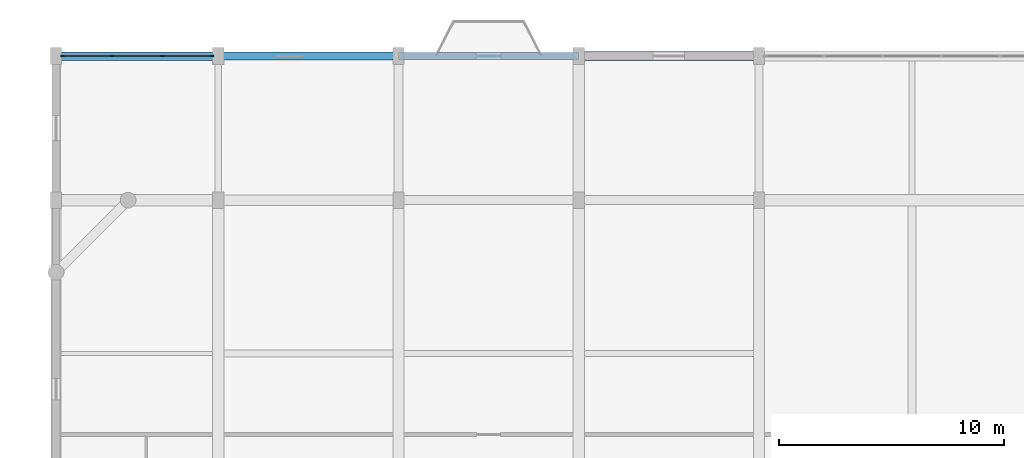
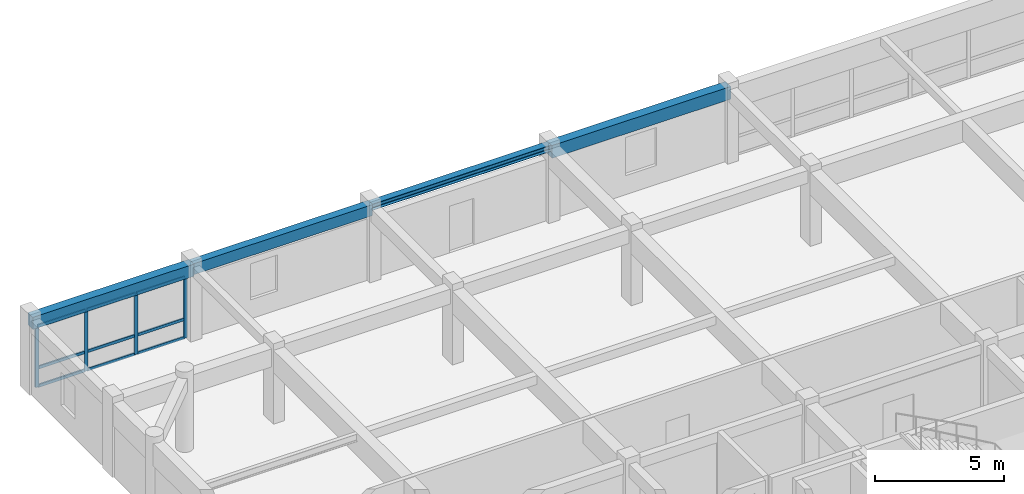
# One storey, part 7 of 13: 13 members, 4 beams, 1 element without a shape of its own.
"""IFC4 building model written with IfcOpenShell, lengths in metres."""

from ifc_helpers import new_model, si_unit, direction, frame, origin, origin_2d, place, context, subcontext, project, spatial, rectangle, i_section, extrude, material, material_profile, profile_set, type_object, element, aggregate, save


model = new_model("IFC4")

# Units and contexts
model_context = context("Model", 3, precision=1e-05, world=origin(), true_north=direction((0.0, 1.0)))
body_context = subcontext(model_context, "Body", "Model", "MODEL_VIEW")
ifc_project = project(units=[si_unit("LENGTHUNIT", "METRE"), si_unit("AREAUNIT", "SQUARE_METRE"), si_unit("VOLUMEUNIT", "CUBIC_METRE"), si_unit("PLANEANGLEUNIT", "RADIAN"), si_unit("MASSUNIT", "GRAM", prefix="KILO")], contexts=[model_context])

# Site, building, storey
site_placement = place(None, origin())
site = spatial("IfcSite", under=ifc_project, at=site_placement, CompositionType="ELEMENT")
building_placement = place(site_placement, origin())
building = spatial("IfcBuilding", under=site, at=building_placement, Name="Vellmiral Cinema and Media Centre", CompositionType="ELEMENT")
storey_placement = place(building_placement, frame((0.0, 0.0, 43.300048828125)))
storey = spatial("IfcBuildingStorey", under=building, at=storey_placement, Name="L10", CompositionType="ELEMENT", Elevation=43.300048828125)

# Curtain wall, members
ifc_material_1 = material(Name="Thermally Broken Aluminium and Triple Glazing", Category="aluminium")
curtain_wall_type = type_object("IfcCurtainWallType", Name="CW-TOWER-MID-W", PredefinedType="USERDEFINED", material=ifc_material_1)
curtain_wall_placement = place(storey_placement, origin())
curtain_wall = element("IfcCurtainWall", 1, at=curtain_wall_placement, inside=storey, type_object=curtain_wall_type, Name="Curtain Wall L10-B021", ObjectType="UNITISED CURTAIN WALL", PredefinedType="USERDEFINED")
ifc_material_2 = material(Name="Thermally Broken Anodised Aluminium", Category="aluminium")
ifc_material_profile_1 = material_profile(ifc_material_2, rectangle(XDim=0.06494140625, YDim=0.159912109375, at=origin_2d()), Name="MULL 65x160")
ifc_profile_set_1 = profile_set([ifc_material_profile_1], Name="Thermally Broken Anodised Aluminium")
member_type_1 = type_object("IfcMemberType", Name="CWM-65x160", PredefinedType="MULLION", material=ifc_profile_set_1)
member_1_placement = place(storey_placement, frame((123.717529296875, 115.199951171875, 0.0), z_axis=(0.0, 0.0, 1.0), x_axis=(0.0, -1.0, 0.0)))
member_1 = element("IfcMember", 2, at=member_1_placement, type_object=member_type_1, Name="CW-08 mullion 1", PredefinedType="MULLION", context=body_context, shape_type="SweptSolid", body=[
    extrude(rectangle(XDim=0.06494140625, YDim=0.159912109375, at=origin_2d()), origin(), (0.0, 0.0, 1.0), 2.89990234375),
])
member_2_placement = place(storey_placement, frame((121.5166015625, 115.199951171875, 0.0), z_axis=(0.0, 0.0, 1.0), x_axis=(0.0, -1.0, 0.0)))
member_2 = element("IfcMember", 3, at=member_2_placement, type_object=member_type_1, Name="CW-08 mullion 2", PredefinedType="MULLION", context=body_context, shape_type="SweptSolid", body=[
    extrude(rectangle(XDim=0.06494140625, YDim=0.159912109375, at=origin_2d()), origin(), (0.0, 0.0, 1.0), 2.89990234375),
])
member_3_placement = place(storey_placement, frame((119.283447265625, 115.199951171875, 0.0), z_axis=(0.0, 0.0, 1.0), x_axis=(0.0, -1.0, 0.0)))
member_3 = element("IfcMember", 4, at=member_3_placement, type_object=member_type_1, Name="CW-08 mullion 3", PredefinedType="MULLION", context=body_context, shape_type="SweptSolid", body=[
    extrude(rectangle(XDim=0.06494140625, YDim=0.159912109375, at=origin_2d()), origin(), (0.0, 0.0, 1.0), 2.89990234375),
])
member_4_placement = place(storey_placement, frame((117.08251953125, 115.199951171875, 0.0), z_axis=(0.0, 0.0, 1.0), x_axis=(0.0, -1.0, 0.0)))
member_4 = element("IfcMember", 5, at=member_4_placement, type_object=member_type_1, Name="CW-08 mullion 4", PredefinedType="MULLION", context=body_context, shape_type="SweptSolid", body=[
    extrude(rectangle(XDim=0.06494140625, YDim=0.159912109375, at=origin_2d()), origin(), (0.0, 0.0, 1.0), 2.89990234375),
])
ifc_material_3 = material(Name="Thermally Broken Anodised Aluminium", Category="aluminium")
ifc_material_profile_2 = material_profile(ifc_material_3, rectangle(XDim=0.06494140625, YDim=0.135009765625, at=origin_2d()), Name="MULL 65x135")
ifc_profile_set_2 = profile_set([ifc_material_profile_2], Name="Thermally Broken Anodised Aluminium")
member_type_2 = type_object("IfcMemberType", Name="CWT-65x135", PredefinedType="USERDEFINED", material=ifc_profile_set_2)
member_5_placement = place(storey_placement, frame((123.68505859375, 115.199951171875, 0.032470703125), z_axis=(-1.0, 0.0, 0.0), x_axis=(0.0, -1.0, 0.0)))
member_5 = element("IfcMember", 6, at=member_5_placement, type_object=member_type_2, Name="CW-08 transom 1.1", ObjectType="TRANSOM", PredefinedType="USERDEFINED", context=body_context, shape_type="SweptSolid", body=[
    extrude(rectangle(XDim=0.06494140625, YDim=0.135009765625, at=origin_2d()), origin(), (0.0, 0.0, 1.0), 2.135986328125),
])
member_6_placement = place(storey_placement, frame((123.68505859375, 115.199951171875, 0.89990234375), z_axis=(-1.0, 0.0, 0.0), x_axis=(0.0, -1.0, 0.0)))
member_6 = element("IfcMember", 7, at=member_6_placement, type_object=member_type_2, Name="CW-08 transom 1.2", ObjectType="TRANSOM", PredefinedType="USERDEFINED", context=body_context, shape_type="SweptSolid", body=[
    extrude(rectangle(XDim=0.06494140625, YDim=0.135009765625, at=origin_2d()), origin(), (0.0, 0.0, 1.0), 2.135986328125),
])
member_7_placement = place(storey_placement, frame((123.68505859375, 115.199951171875, 2.867431640625), z_axis=(-1.0, 0.0, 0.0), x_axis=(0.0, -1.0, 0.0)))
member_7 = element("IfcMember", 8, at=member_7_placement, type_object=member_type_2, Name="CW-08 transom 1.3", ObjectType="TRANSOM", PredefinedType="USERDEFINED", context=body_context, shape_type="SweptSolid", body=[
    extrude(rectangle(XDim=0.06494140625, YDim=0.135009765625, at=origin_2d()), origin(), (0.0, 0.0, 1.0), 2.135986328125),
])
member_8_placement = place(storey_placement, frame((121.484130859375, 115.199951171875, 0.032470703125), z_axis=(-1.0, 0.0, 0.0), x_axis=(0.0, -1.0, 0.0)))
member_8 = element("IfcMember", 9, at=member_8_placement, type_object=member_type_2, Name="CW-08 transom 2.1", ObjectType="TRANSOM", PredefinedType="USERDEFINED", context=body_context, shape_type="SweptSolid", body=[
    extrude(rectangle(XDim=0.06494140625, YDim=0.135009765625, at=origin_2d()), origin(), (0.0, 0.0, 1.0), 2.168212890625),
])
member_9_placement = place(storey_placement, frame((121.484130859375, 115.199951171875, 0.89990234375), z_axis=(-1.0, 0.0, 0.0), x_axis=(0.0, -1.0, 0.0)))
member_9 = element("IfcMember", 10, at=member_9_placement, type_object=member_type_2, Name="CW-08 transom 2.2", ObjectType="TRANSOM", PredefinedType="USERDEFINED", context=body_context, shape_type="SweptSolid", body=[
    extrude(rectangle(XDim=0.06494140625, YDim=0.135009765625, at=origin_2d()), origin(), (0.0, 0.0, 1.0), 2.168212890625),
])
member_10_placement = place(storey_placement, frame((121.484130859375, 115.199951171875, 2.867431640625), z_axis=(-1.0, 0.0, 0.0), x_axis=(0.0, -1.0, 0.0)))
member_10 = element("IfcMember", 11, at=member_10_placement, type_object=member_type_2, Name="CW-08 transom 2.3", ObjectType="TRANSOM", PredefinedType="USERDEFINED", context=body_context, shape_type="SweptSolid", body=[
    extrude(rectangle(XDim=0.06494140625, YDim=0.135009765625, at=origin_2d()), origin(), (0.0, 0.0, 1.0), 2.168212890625),
])
member_11_placement = place(storey_placement, frame((119.250732421875, 115.199951171875, 0.032470703125), z_axis=(-1.0, 0.0, 0.0), x_axis=(0.0, -1.0, 0.0)))
member_11 = element("IfcMember", 12, at=member_11_placement, type_object=member_type_2, Name="CW-08 transom 3.1", ObjectType="TRANSOM", PredefinedType="USERDEFINED", context=body_context, shape_type="SweptSolid", body=[
    extrude(rectangle(XDim=0.06494140625, YDim=0.135009765625, at=origin_2d()), origin(), (0.0, 0.0, 1.0), 2.1357421875),
])
member_12_placement = place(storey_placement, frame((119.250732421875, 115.199951171875, 0.89990234375), z_axis=(-1.0, 0.0, 0.0), x_axis=(0.0, -1.0, 0.0)))
member_12 = element("IfcMember", 13, at=member_12_placement, type_object=member_type_2, Name="CW-08 transom 3.2", ObjectType="TRANSOM", PredefinedType="USERDEFINED", context=body_context, shape_type="SweptSolid", body=[
    extrude(rectangle(XDim=0.06494140625, YDim=0.135009765625, at=origin_2d()), origin(), (0.0, 0.0, 1.0), 2.1357421875),
])
member_13_placement = place(storey_placement, frame((119.250732421875, 115.199951171875, 2.867431640625), z_axis=(-1.0, 0.0, 0.0), x_axis=(0.0, -1.0, 0.0)))
member_13 = element("IfcMember", 14, at=member_13_placement, type_object=member_type_2, Name="CW-08 transom 3.3", ObjectType="TRANSOM", PredefinedType="USERDEFINED", context=body_context, shape_type="SweptSolid", body=[
    extrude(rectangle(XDim=0.06494140625, YDim=0.135009765625, at=origin_2d()), origin(), (0.0, 0.0, 1.0), 2.1357421875),
])
aggregate(curtain_wall, [member_1, member_2, member_3, member_4, member_5, member_6, member_7, member_8, member_9, member_10, member_11, member_12, member_13])

# Beams
ifc_material_4 = material(Name="Steel S355", Category="steel")
ifc_material_profile_3 = material_profile(ifc_material_4, i_section(OverallWidth=0.300048828125, OverallDepth=0.300048828125, WebThickness=0.010986328125, FlangeThickness=0.01904296875, FilletRadius=0.027099609375, at=origin_2d()), Name="HEB 300")
ifc_profile_set_3 = profile_set([ifc_material_profile_3], Name="Steel S355")
beam_type_1 = type_object("IfcBeamType", Name="SBM-HEB300", PredefinedType="SPANDREL", material=ifc_profile_set_3)
beam_1_placement = place(storey_placement, frame((132.0, 115.199951171875, 3.344970703125), z_axis=(1.0, 0.0, 0.0), x_axis=(0.0, 1.0, 0.0)))
element("IfcBeam", 15, at=beam_1_placement, inside=storey, type_object=beam_type_1, Name="Grid Beam L10-X039", PredefinedType="SPANDREL", context=body_context, shape_type="SweptSolid", body=[
    extrude(i_section(OverallWidth=0.300048828125, OverallDepth=0.300048828125, WebThickness=0.010986328125, FlangeThickness=0.01904296875, FilletRadius=0.027099609375, at=origin_2d()), origin(), (0.0, 0.0, 1.0), 8.0),
])
ifc_material_5 = material(Name="Concrete C40/50", Category="concrete")
ifc_material_profile_4 = material_profile(ifc_material_5, rectangle(XDim=0.39990234375, YDim=0.60009765625, at=origin_2d()), Name="RC 400x600")
ifc_profile_set_4 = profile_set([ifc_material_profile_4], Name="Concrete C40/50")
beam_type_2 = type_object("IfcBeamType", Name="SPD-RC-400x600", PredefinedType="SPANDREL", material=ifc_profile_set_4)
beam_2_placement = place(storey_placement, frame((140.0, 115.199951171875, 3.195068359375), z_axis=(1.0, 0.0, 0.0), x_axis=(0.0, 1.0, 0.0)))
element("IfcBeam", 16, at=beam_2_placement, inside=storey, type_object=beam_type_2, Name="Grid Beam L10-X040", PredefinedType="SPANDREL", context=body_context, shape_type="SweptSolid", body=[
    extrude(rectangle(XDim=0.39990234375, YDim=0.60009765625, at=origin_2d()), origin(), (0.0, 0.0, 1.0), 8.0),
])
ifc_material_6 = material(Name="Vosges Red Sandstone Masonry", Category="masonry")
ifc_material_profile_5 = material_profile(ifc_material_6, rectangle(XDim=0.340087890625, YDim=0.52001953125, at=origin_2d()), Name="SAND 340x520")
ifc_profile_set_5 = profile_set([ifc_material_profile_5], Name="Vosges Red Sandstone Masonry")
beam_type_3 = type_object("IfcBeamType", Name="SPD-SAND-340x520", PredefinedType="SPANDREL", material=ifc_profile_set_5)
beam_3_placement = place(storey_placement, frame((124.0, 115.199951171875, 3.23486328125), z_axis=(1.0, 0.0, 0.0), x_axis=(0.0, 1.0, 0.0)))
element("IfcBeam", 17, at=beam_3_placement, inside=storey, type_object=beam_type_3, Name="Grid Beam L10-X038", PredefinedType="SPANDREL", context=body_context, shape_type="SweptSolid", body=[
    extrude(rectangle(XDim=0.340087890625, YDim=0.52001953125, at=origin_2d()), origin(), (0.0, 0.0, 1.0), 8.0),
])
ifc_material_7 = material(Name="Vosges Red Sandstone Masonry", Category="masonry")
ifc_material_profile_6 = material_profile(ifc_material_7, rectangle(XDim=0.3798828125, YDim=0.580078125, at=origin_2d()), Name="SAND 380x580")
ifc_profile_set_6 = profile_set([ifc_material_profile_6], Name="Vosges Red Sandstone Masonry")
beam_type_4 = type_object("IfcBeamType", Name="SPD-SAND-380x580", PredefinedType="SPANDREL", material=ifc_profile_set_6)
beam_4_placement = place(storey_placement, frame((116.800048828125, 115.199951171875, 3.204833984375), z_axis=(1.0, 0.0, 0.0), x_axis=(0.0, 1.0, 0.0)))
element("IfcBeam", 18, at=beam_4_placement, inside=storey, type_object=beam_type_4, Name="Grid Beam L10-X037", PredefinedType="SPANDREL", context=body_context, shape_type="SweptSolid", body=[
    extrude(rectangle(XDim=0.3798828125, YDim=0.580078125, at=origin_2d()), origin(), (0.0, 0.0, 1.0), 7.199951171875),
])

save(model, "model.ifc")
